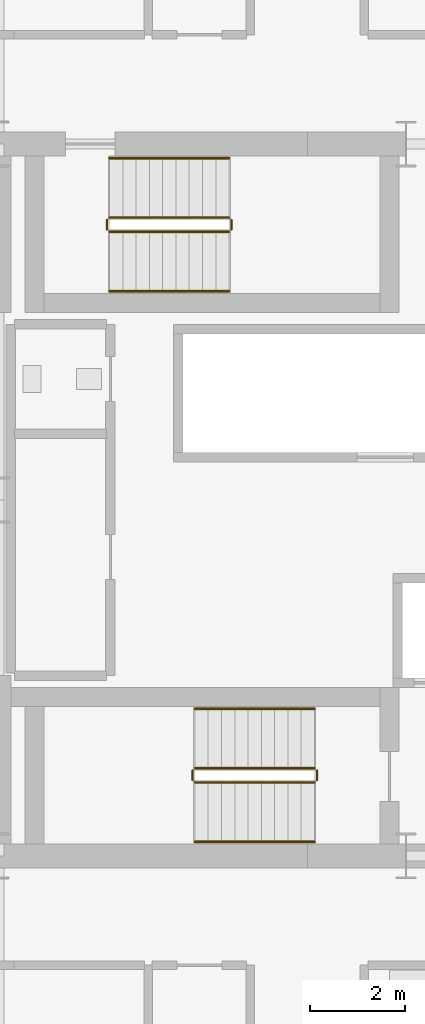
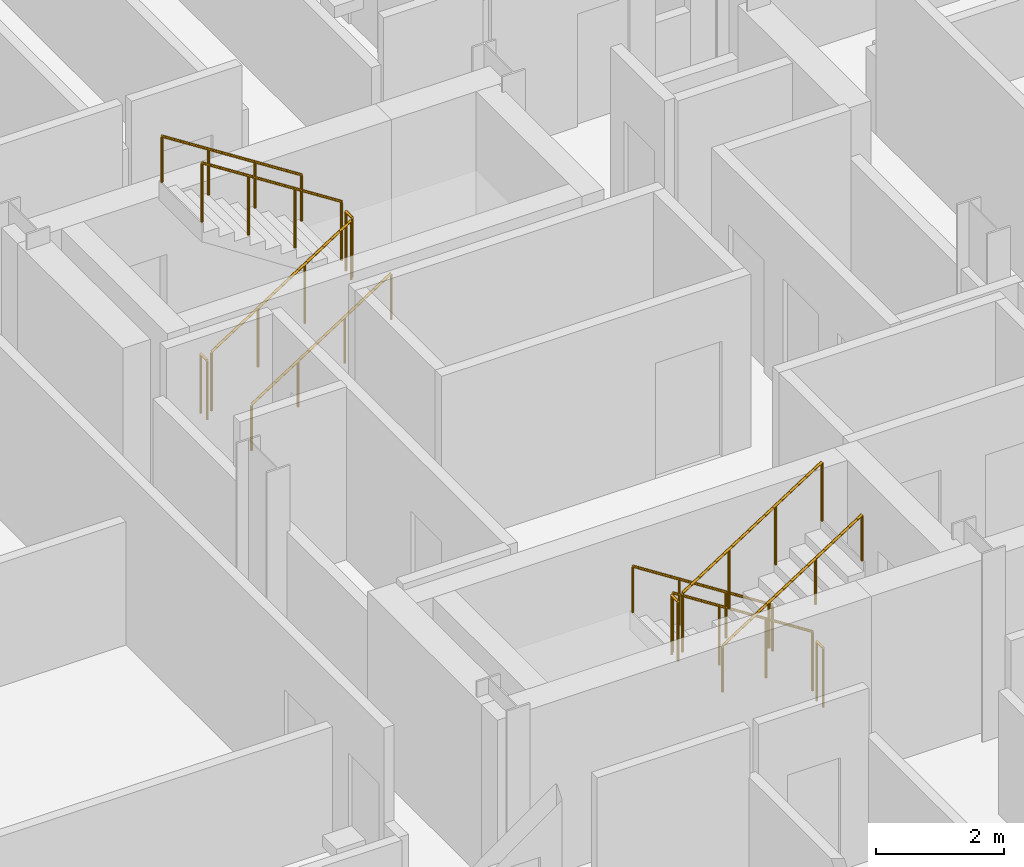
# One storey, part 24 of 25: 12 railings.
"""IFC4 building model written with IfcOpenShell, lengths in metres."""

from ifc_helpers import new_model, si_unit, direction, frame, origin, origin_2d, place, context, subcontext, project, spatial, circle, extrude, material, type_object, element, save


model = new_model("IFC4")

# Units and contexts
model_context = context("Model", 3, precision=1e-05, world=origin(), true_north=direction((0.0, 1.0)))
body_context = subcontext(model_context, "Body", "Model", "MODEL_VIEW")
ifc_project = project(units=[si_unit("LENGTHUNIT", "METRE"), si_unit("AREAUNIT", "SQUARE_METRE"), si_unit("VOLUMEUNIT", "CUBIC_METRE"), si_unit("PLANEANGLEUNIT", "RADIAN"), si_unit("MASSUNIT", "GRAM", prefix="KILO")], contexts=[model_context])

# Site, building, storey
site_placement = place(None, origin())
site = spatial("IfcSite", under=ifc_project, at=site_placement, CompositionType="ELEMENT")
building_placement = place(site_placement, origin())
building = spatial("IfcBuilding", under=site, at=building_placement, Name="Barlavira Tower and Art Museum", CompositionType="ELEMENT")
storey_placement = place(building_placement, frame((0.0, 0.0, 162.0)))
storey = spatial("IfcBuildingStorey", under=building, at=storey_placement, Name="L41", CompositionType="ELEMENT", Elevation=162.0)

# Railings
ifc_material = material(Name="Brushed stainless steel", Category="steel")
railing_type_1 = type_object("IfcRailingType", Name="Interior Void and Landing Guard Railing 1150", PredefinedType="GUARDRAIL", material=ifc_material)
railing_1_placement = place(storey_placement, frame((0.14990234375, -5.64990234375, 0.179931640625)))
element("IfcRailing", 1, at=railing_1_placement, inside=storey, type_object=railing_type_1, Name="L41 ST-T1 stair guard 1", PredefinedType="GUARDRAIL", context=body_context, shape_type="SweptSolid", body=[
    extrude(circle(Radius=0.02392578125, at=origin_2d()), frame((0.0, 0.0, 1.1259765625), z_axis=(-0.841162588446, 0.0, 0.540782303519), x_axis=(0.0, -1.0, 0.0)), (0.0, 0.0, 1.0), 2.995849609375),
    extrude(circle(Radius=0.02099609375, at=origin_2d()), origin(), (0.0, 0.0, 1.0), 1.101806640625),
    extrude(circle(Radius=0.02099609375, at=origin_2d()), frame((-0.840087890625, 0.0, 0.5400390625)), (0.0, 0.0, 1.0), 1.101806640625),
    extrude(circle(Radius=0.02099609375, at=origin_2d()), frame((-1.679931640625, 0.0, 1.080078125)), (0.0, 0.0, 1.0), 1.101806640625),
    extrude(circle(Radius=0.02099609375, at=origin_2d()), frame((-2.52001953125, 0.0, 1.6201171875)), (0.0, 0.0, 1.0), 1.101806640625),
])
railing_2_placement = place(storey_placement, frame((-2.419921875, -5.699951171875, 1.800048828125)))
element("IfcRailing", 2, at=railing_2_placement, inside=storey, type_object=railing_type_1, Name="L41 ST-T1 stair guard 2", PredefinedType="GUARDRAIL", context=body_context, shape_type="SweptSolid", body=[
    extrude(circle(Radius=0.02392578125, at=origin_2d()), frame((0.0, 0.0, 1.1259765625), z_axis=(0.0, -1.0, 0.0), x_axis=(1.0, 0.0, 0.0)), (0.0, 0.0, 1.0), 0.199951171875),
    extrude(circle(Radius=0.02099609375, at=origin_2d()), origin(), (0.0, 0.0, 1.0), 1.101806640625),
    extrude(circle(Radius=0.02099609375, at=origin_2d()), frame((0.0, -0.199951171875, 0.0)), (0.0, 0.0, 1.0), 1.101806640625),
])
railing_3_placement = place(storey_placement, frame((-2.3701171875, -5.949951171875, 1.97998046875)))
element("IfcRailing", 3, at=railing_3_placement, inside=storey, type_object=railing_type_1, Name="L41 ST-T1 stair guard 3", PredefinedType="GUARDRAIL", context=body_context, shape_type="SweptSolid", body=[
    extrude(circle(Radius=0.02392578125, at=origin_2d()), frame((0.0, 0.0, 1.1259765625), z_axis=(0.841162588446, 0.0, 0.540782303519), x_axis=(0.0, 1.0, 0.0)), (0.0, 0.0, 1.0), 2.995849609375),
    extrude(circle(Radius=0.02099609375, at=origin_2d()), origin(), (0.0, 0.0, 1.0), 1.101806640625),
    extrude(circle(Radius=0.02099609375, at=origin_2d()), frame((0.840087890625, 0.0, 0.5400390625)), (0.0, 0.0, 1.0), 1.101806640625),
    extrude(circle(Radius=0.02099609375, at=origin_2d()), frame((1.679931640625, 0.0, 1.080078125)), (0.0, 0.0, 1.0), 1.101806640625),
    extrude(circle(Radius=0.02099609375, at=origin_2d()), frame((2.52001953125, 0.0, 1.6201171875)), (0.0, 0.0, 1.0), 1.101806640625),
])
railing_4_placement = place(storey_placement, frame((0.199951171875, -5.699951171875, 0.0)))
element("IfcRailing", 4, at=railing_4_placement, inside=storey, type_object=railing_type_1, Name="L41 ST-T1 stair guard 4", PredefinedType="GUARDRAIL", context=body_context, shape_type="SweptSolid", body=[
    extrude(circle(Radius=0.02392578125, at=origin_2d()), frame((0.0, 0.0, 1.1259765625), z_axis=(0.0, -1.0, 0.0), x_axis=(1.0, 0.0, 0.0)), (0.0, 0.0, 1.0), 0.199951171875),
    extrude(circle(Radius=0.02099609375, at=origin_2d()), origin(), (0.0, 0.0, 1.0), 1.101806640625),
    extrude(circle(Radius=0.02099609375, at=origin_2d()), frame((0.0, -0.199951171875, 0.0)), (0.0, 0.0, 1.0), 1.101806640625),
])
railing_5_placement = place(storey_placement, frame((-4.169921875, 5.64990234375, 0.179931640625)))
element("IfcRailing", 5, at=railing_5_placement, inside=storey, type_object=railing_type_1, Name="L41 ST-T2 stair guard 1", PredefinedType="GUARDRAIL", context=body_context, shape_type="SweptSolid", body=[
    extrude(circle(Radius=0.02392578125, at=origin_2d()), frame((0.0, 0.0, 1.1259765625), z_axis=(0.841162588446, 0.0, 0.540782303519), x_axis=(0.0, 1.0, 0.0)), (0.0, 0.0, 1.0), 2.995849609375),
    extrude(circle(Radius=0.02099609375, at=origin_2d()), origin(), (0.0, 0.0, 1.0), 1.101806640625),
    extrude(circle(Radius=0.02099609375, at=origin_2d()), frame((0.840087890625, 0.0, 0.5400390625)), (0.0, 0.0, 1.0), 1.101806640625),
    extrude(circle(Radius=0.02099609375, at=origin_2d()), frame((1.679931640625, 0.0, 1.080078125)), (0.0, 0.0, 1.0), 1.101806640625),
    extrude(circle(Radius=0.02099609375, at=origin_2d()), frame((2.52001953125, 0.0, 1.6201171875)), (0.0, 0.0, 1.0), 1.101806640625),
])
railing_6_placement = place(storey_placement, frame((-1.60009765625, 5.699951171875, 1.800048828125)))
element("IfcRailing", 6, at=railing_6_placement, inside=storey, type_object=railing_type_1, Name="L41 ST-T2 stair guard 2", PredefinedType="GUARDRAIL", context=body_context, shape_type="SweptSolid", body=[
    extrude(circle(Radius=0.02392578125, at=origin_2d()), frame((0.0, 0.0, 1.1259765625), z_axis=(0.0, 1.0, 0.0), x_axis=(-1.0, 0.0, 0.0)), (0.0, 0.0, 1.0), 0.199951171875),
    extrude(circle(Radius=0.02099609375, at=origin_2d()), origin(), (0.0, 0.0, 1.0), 1.101806640625),
    extrude(circle(Radius=0.02099609375, at=origin_2d()), frame((0.0, 0.199951171875, 0.0)), (0.0, 0.0, 1.0), 1.101806640625),
])
railing_7_placement = place(storey_placement, frame((-1.64990234375, 5.949951171875, 1.97998046875)))
element("IfcRailing", 7, at=railing_7_placement, inside=storey, type_object=railing_type_1, Name="L41 ST-T2 stair guard 3", PredefinedType="GUARDRAIL", context=body_context, shape_type="SweptSolid", body=[
    extrude(circle(Radius=0.02392578125, at=origin_2d()), frame((0.0, 0.0, 1.1259765625), z_axis=(-0.841162588446, 0.0, 0.540782303519), x_axis=(0.0, -1.0, 0.0)), (0.0, 0.0, 1.0), 2.995849609375),
    extrude(circle(Radius=0.02099609375, at=origin_2d()), origin(), (0.0, 0.0, 1.0), 1.101806640625),
    extrude(circle(Radius=0.02099609375, at=origin_2d()), frame((-0.840087890625, 0.0, 0.5400390625)), (0.0, 0.0, 1.0), 1.101806640625),
    extrude(circle(Radius=0.02099609375, at=origin_2d()), frame((-1.679931640625, 0.0, 1.080078125)), (0.0, 0.0, 1.0), 1.101806640625),
    extrude(circle(Radius=0.02099609375, at=origin_2d()), frame((-2.52001953125, 0.0, 1.6201171875)), (0.0, 0.0, 1.0), 1.101806640625),
])
railing_8_placement = place(storey_placement, frame((-4.219970703125, 5.699951171875, 0.0)))
element("IfcRailing", 8, at=railing_8_placement, inside=storey, type_object=railing_type_1, Name="L41 ST-T2 stair guard 4", PredefinedType="GUARDRAIL", context=body_context, shape_type="SweptSolid", body=[
    extrude(circle(Radius=0.02392578125, at=origin_2d()), frame((0.0, 0.0, 1.1259765625), z_axis=(0.0, 1.0, 0.0), x_axis=(-1.0, 0.0, 0.0)), (0.0, 0.0, 1.0), 0.199951171875),
    extrude(circle(Radius=0.02099609375, at=origin_2d()), origin(), (0.0, 0.0, 1.0), 1.101806640625),
    extrude(circle(Radius=0.02099609375, at=origin_2d()), frame((0.0, 0.199951171875, 0.0)), (0.0, 0.0, 1.0), 1.101806640625),
])
railing_type_2 = type_object("IfcRailingType", Name="Stair Pitch Tubular Steel Handrail 920", PredefinedType="HANDRAIL", material=ifc_material)
railing_9_placement = place(storey_placement, frame((0.14990234375, -4.39990234375, 0.179931640625)))
element("IfcRailing", 9, at=railing_9_placement, inside=storey, type_object=railing_type_2, Name="L41 ST-T1 stair handrail 1", PredefinedType="HANDRAIL", context=body_context, shape_type="SweptSolid", body=[
    extrude(circle(Radius=0.02392578125, at=origin_2d()), frame((0.0, 0.0, 0.8759765625), z_axis=(-0.841162588446, 0.0, 0.540782303519), x_axis=(0.0, -1.0, 0.0)), (0.0, 0.0, 1.0), 2.995849609375),
    extrude(circle(Radius=0.02099609375, at=origin_2d()), origin(), (0.0, 0.0, 1.0), 0.851806640625),
    extrude(circle(Radius=0.02099609375, at=origin_2d()), frame((-0.840087890625, 0.0, 0.5400390625)), (0.0, 0.0, 1.0), 0.851806640625),
    extrude(circle(Radius=0.02099609375, at=origin_2d()), frame((-1.679931640625, 0.0, 1.080078125)), (0.0, 0.0, 1.0), 0.851806640625),
    extrude(circle(Radius=0.02099609375, at=origin_2d()), frame((-2.52001953125, 0.0, 1.6201171875)), (0.0, 0.0, 1.0), 0.851806640625),
])
for number, where, name in (
    (10, (-2.3701171875, -7.199951171875, 1.97998046875), "L41 ST-T1 stair handrail 2"),
    (11, (-4.169921875, 4.39990234375, 0.179931640625), "L41 ST-T2 stair handrail 1"),
):
    element("IfcRailing", number, at=place(storey_placement, frame(where)), inside=storey, type_object=railing_type_2, Name=name, PredefinedType="HANDRAIL", context=body_context, shape_type="SweptSolid", body=[
        extrude(circle(Radius=0.02392578125, at=origin_2d()), frame((0.0, 0.0, 0.8759765625), z_axis=(0.841162588446, 0.0, 0.540782303519), x_axis=(0.0, 1.0, 0.0)), (0.0, 0.0, 1.0), 2.995849609375),
        extrude(circle(Radius=0.02099609375, at=origin_2d()), origin(), (0.0, 0.0, 1.0), 0.851806640625),
        extrude(circle(Radius=0.02099609375, at=origin_2d()), frame((0.840087890625, 0.0, 0.5400390625)), (0.0, 0.0, 1.0), 0.851806640625),
        extrude(circle(Radius=0.02099609375, at=origin_2d()), frame((1.679931640625, 0.0, 1.080078125)), (0.0, 0.0, 1.0), 0.851806640625),
        extrude(circle(Radius=0.02099609375, at=origin_2d()), frame((2.52001953125, 0.0, 1.6201171875)), (0.0, 0.0, 1.0), 0.851806640625),
    ])
railing_10_placement = place(storey_placement, frame((-1.64990234375, 7.199951171875, 1.97998046875)))
element("IfcRailing", 12, at=railing_10_placement, inside=storey, type_object=railing_type_2, Name="L41 ST-T2 stair handrail 2", PredefinedType="HANDRAIL", context=body_context, shape_type="SweptSolid", body=[
    extrude(circle(Radius=0.02392578125, at=origin_2d()), frame((0.0, 0.0, 0.8759765625), z_axis=(-0.841162588446, 0.0, 0.540782303519), x_axis=(0.0, -1.0, 0.0)), (0.0, 0.0, 1.0), 2.995849609375),
    extrude(circle(Radius=0.02099609375, at=origin_2d()), origin(), (0.0, 0.0, 1.0), 0.851806640625),
    extrude(circle(Radius=0.02099609375, at=origin_2d()), frame((-0.840087890625, 0.0, 0.5400390625)), (0.0, 0.0, 1.0), 0.851806640625),
    extrude(circle(Radius=0.02099609375, at=origin_2d()), frame((-1.679931640625, 0.0, 1.080078125)), (0.0, 0.0, 1.0), 0.851806640625),
    extrude(circle(Radius=0.02099609375, at=origin_2d()), frame((-2.52001953125, 0.0, 1.6201171875)), (0.0, 0.0, 1.0), 0.851806640625),
])

save(model, "model.ifc")
